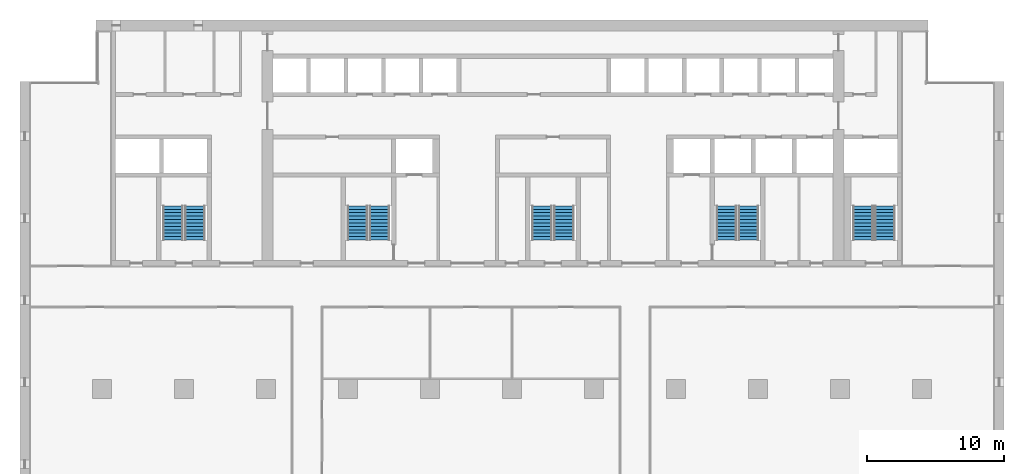
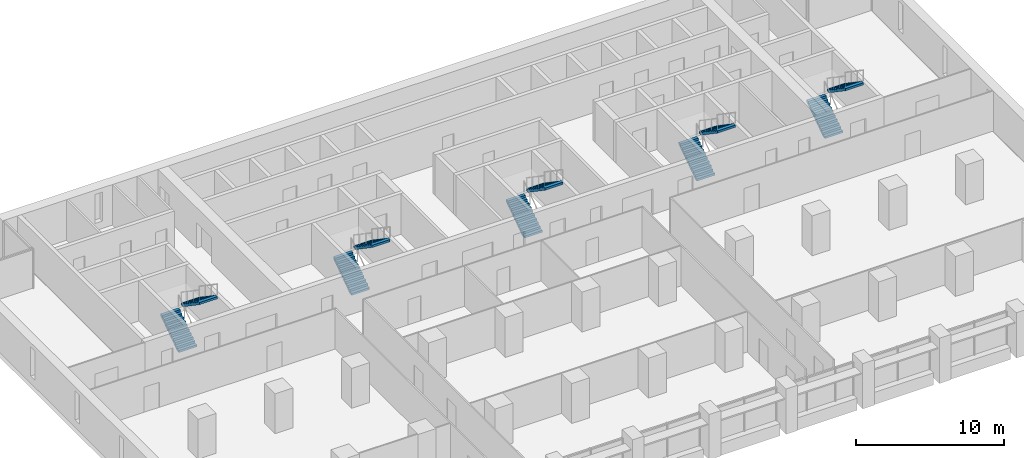
# One storey, part 12 of 15: 10 stair flights, 5 elements without a shape of their own.
"""IFC4 building model written with IfcOpenShell, lengths in metres."""

from ifc_helpers import new_model, si_unit, direction, frame, origin, place, context, subcontext, project, spatial, polyline, outline, extrude, material, type_object, element, aggregate, save


model = new_model("IFC4")

# Units and contexts
model_context = context("Model", 3, precision=1e-05, world=origin(), true_north=direction((0.0, 1.0)))
body_context = subcontext(model_context, "Body", "Model", "MODEL_VIEW")
ifc_project = project(units=[si_unit("LENGTHUNIT", "METRE"), si_unit("AREAUNIT", "SQUARE_METRE"), si_unit("VOLUMEUNIT", "CUBIC_METRE"), si_unit("PLANEANGLEUNIT", "RADIAN"), si_unit("MASSUNIT", "GRAM", prefix="KILO")], contexts=[model_context])

# Site, building, storey
site_placement = place(None, origin())
site = spatial("IfcSite", under=ifc_project, at=site_placement, CompositionType="ELEMENT")
building_placement = place(site_placement, origin())
building = spatial("IfcBuilding", under=site, at=building_placement, Name="Calvaro Tower", CompositionType="ELEMENT")
storey_placement = place(building_placement, frame((0.0, 0.0, 106.25)))
storey = spatial("IfcBuildingStorey", under=building, at=storey_placement, Name="L26", CompositionType="ELEMENT", Elevation=106.25)

# Stair, stair flights
ifc_material_1 = material(Name="Concrete C40/50", Category="concrete")
stair_type = type_object("IfcStairType", Name="Exit stair 1400 2 flights", PredefinedType="HALF_TURN_STAIR", material=ifc_material_1)
stair_1_placement = place(storey_placement, origin())
stair_1 = element("IfcStair", 1, at=stair_1_placement, inside=storey, type_object=stair_type, Name="Exit stair S1", PredefinedType="HALF_TURN_STAIR")
ifc_material_2 = material(Name="Concrete C40/50", Category="concrete")
stair_flight_type = type_object("IfcStairFlightType", Name="Stair flight", PredefinedType="STRAIGHT", material=ifc_material_2)
stair_flight_1_placement = place(storey_placement, frame((11.199951171875, 29.89990234375, 0.0), z_axis=(0.0, 0.0, 1.0), x_axis=(0.0, 1.0, 0.0)))
stair_flight_1 = element("IfcStairFlight", 2, at=stair_flight_1_placement, type_object=stair_flight_type, Name="Exit stair 1, flight 1", NumberOfRisers=11, NumberOfTreads=10, PredefinedType="STRAIGHT", RiserHeight=0.170454545, TreadLength=0.25, context=body_context, shape_type="SweptSolid", body=[
    extrude(outline(polyline([(0.0, 0.0), (0.0, 0.17041015625), (0.25, 0.17041015625), (0.25, 0.3408203125), (0.5, 0.3408203125), (0.5, 0.511474609375), (0.75, 0.511474609375), (0.75, 0.681884765625), (1.0, 0.681884765625), (1.0, 0.852294921875), (1.25, 0.852294921875), (1.25, 1.022705078125), (1.5, 1.022705078125), (1.5, 1.193115234375), (1.75, 1.193115234375), (1.75, 1.363525390625), (2.0, 1.363525390625), (2.0, 1.5341796875), (2.25, 1.5341796875), (2.25, 1.70458984375), (2.5, 1.70458984375), (2.5, 1.875), (2.5, 1.523193359375), (0.26611328125, 0.0), (0.0, 0.0)])), frame((0.0, 0.699951171875, 0.0), z_axis=(0.0, -1.0, 0.0), x_axis=(1.0, 0.0, 0.0)), (0.0, 0.0, 1.0), 1.39990234375),
])
stair_flight_2_placement = place(storey_placement, frame((12.800048828125, 32.39990234375, 1.875), z_axis=(0.0, 0.0, 1.0), x_axis=(0.0, -1.0, 0.0)))
stair_flight_2 = element("IfcStairFlight", 3, at=stair_flight_2_placement, type_object=stair_flight_type, Name="Exit stair 1, flight 2", NumberOfRisers=11, NumberOfTreads=10, PredefinedType="STRAIGHT", RiserHeight=0.170454545, TreadLength=0.25, context=body_context, shape_type="SweptSolid", body=[
    extrude(outline(polyline([(0.0, 0.0), (0.0, 0.17041015625), (0.25, 0.17041015625), (0.25, 0.3408203125), (0.5, 0.3408203125), (0.5, 0.511474609375), (0.75, 0.511474609375), (0.75, 0.681884765625), (1.0, 0.681884765625), (1.0, 0.852294921875), (1.25, 0.852294921875), (1.25, 1.022705078125), (1.5, 1.022705078125), (1.5, 1.193115234375), (1.75, 1.193115234375), (1.75, 1.363525390625), (2.0, 1.363525390625), (2.0, 1.5341796875), (2.25, 1.5341796875), (2.25, 1.70458984375), (2.5, 1.70458984375), (2.5, 1.875), (2.5, 1.523193359375), (0.26611328125, 0.0), (0.0, 0.0)])), frame((0.0, 0.699951171875, 0.0), z_axis=(0.0, -1.0, 0.0), x_axis=(1.0, 0.0, 0.0)), (0.0, 0.0, 1.0), 1.39990234375),
])
aggregate(stair_1, [stair_flight_1, stair_flight_2])

stair_2_placement = place(storey_placement, origin())
stair_2 = element("IfcStair", 4, at=stair_2_placement, inside=storey, type_object=stair_type, Name="Exit stair S2", PredefinedType="HALF_TURN_STAIR")
stair_flight_3_placement = place(storey_placement, frame((24.699951171875, 29.89990234375, 0.0), z_axis=(0.0, 0.0, 1.0), x_axis=(0.0, 1.0, 0.0)))
stair_flight_3 = element("IfcStairFlight", 5, at=stair_flight_3_placement, type_object=stair_flight_type, Name="Exit stair 2, flight 1", NumberOfRisers=11, NumberOfTreads=10, PredefinedType="STRAIGHT", RiserHeight=0.170454545, TreadLength=0.25, context=body_context, shape_type="SweptSolid", body=[
    extrude(outline(polyline([(0.0, 0.0), (0.0, 0.17041015625), (0.25, 0.17041015625), (0.25, 0.3408203125), (0.5, 0.3408203125), (0.5, 0.511474609375), (0.75, 0.511474609375), (0.75, 0.681884765625), (1.0, 0.681884765625), (1.0, 0.852294921875), (1.25, 0.852294921875), (1.25, 1.022705078125), (1.5, 1.022705078125), (1.5, 1.193115234375), (1.75, 1.193115234375), (1.75, 1.363525390625), (2.0, 1.363525390625), (2.0, 1.5341796875), (2.25, 1.5341796875), (2.25, 1.70458984375), (2.5, 1.70458984375), (2.5, 1.875), (2.5, 1.523193359375), (0.26611328125, 0.0), (0.0, 0.0)])), frame((0.0, 0.699951171875, 0.0), z_axis=(0.0, -1.0, 0.0), x_axis=(1.0, 0.0, 0.0)), (0.0, 0.0, 1.0), 1.39990234375),
])
stair_flight_4_placement = place(storey_placement, frame((26.300048828125, 32.39990234375, 1.875), z_axis=(0.0, 0.0, 1.0), x_axis=(0.0, -1.0, 0.0)))
stair_flight_4 = element("IfcStairFlight", 6, at=stair_flight_4_placement, type_object=stair_flight_type, Name="Exit stair 2, flight 2", NumberOfRisers=11, NumberOfTreads=10, PredefinedType="STRAIGHT", RiserHeight=0.170454545, TreadLength=0.25, context=body_context, shape_type="SweptSolid", body=[
    extrude(outline(polyline([(0.0, 0.0), (0.0, 0.17041015625), (0.25, 0.17041015625), (0.25, 0.3408203125), (0.5, 0.3408203125), (0.5, 0.511474609375), (0.75, 0.511474609375), (0.75, 0.681884765625), (1.0, 0.681884765625), (1.0, 0.852294921875), (1.25, 0.852294921875), (1.25, 1.022705078125), (1.5, 1.022705078125), (1.5, 1.193115234375), (1.75, 1.193115234375), (1.75, 1.363525390625), (2.0, 1.363525390625), (2.0, 1.5341796875), (2.25, 1.5341796875), (2.25, 1.70458984375), (2.5, 1.70458984375), (2.5, 1.875), (2.5, 1.523193359375), (0.26611328125, 0.0), (0.0, 0.0)])), frame((0.0, 0.699951171875, 0.0), z_axis=(0.0, -1.0, 0.0), x_axis=(1.0, 0.0, 0.0)), (0.0, 0.0, 1.0), 1.39990234375),
])
aggregate(stair_2, [stair_flight_3, stair_flight_4])

stair_3_placement = place(storey_placement, origin())
stair_3 = element("IfcStair", 7, at=stair_3_placement, inside=storey, type_object=stair_type, Name="Exit stair S3", PredefinedType="HALF_TURN_STAIR")
stair_flight_5_placement = place(storey_placement, frame((38.199951171875, 29.89990234375, 0.0), z_axis=(0.0, 0.0, 1.0), x_axis=(0.0, 1.0, 0.0)))
stair_flight_5 = element("IfcStairFlight", 8, at=stair_flight_5_placement, type_object=stair_flight_type, Name="Exit stair 3, flight 1", NumberOfRisers=11, NumberOfTreads=10, PredefinedType="STRAIGHT", RiserHeight=0.170454545, TreadLength=0.25, context=body_context, shape_type="SweptSolid", body=[
    extrude(outline(polyline([(0.0, 0.0), (0.0, 0.17041015625), (0.25, 0.17041015625), (0.25, 0.3408203125), (0.5, 0.3408203125), (0.5, 0.511474609375), (0.75, 0.511474609375), (0.75, 0.681884765625), (1.0, 0.681884765625), (1.0, 0.852294921875), (1.25, 0.852294921875), (1.25, 1.022705078125), (1.5, 1.022705078125), (1.5, 1.193115234375), (1.75, 1.193115234375), (1.75, 1.363525390625), (2.0, 1.363525390625), (2.0, 1.5341796875), (2.25, 1.5341796875), (2.25, 1.70458984375), (2.5, 1.70458984375), (2.5, 1.875), (2.5, 1.523193359375), (0.26611328125, 0.0), (0.0, 0.0)])), frame((0.0, 0.699951171875, 0.0), z_axis=(0.0, -1.0, 0.0), x_axis=(1.0, 0.0, 0.0)), (0.0, 0.0, 1.0), 1.39990234375),
])
stair_flight_6_placement = place(storey_placement, frame((39.800048828125, 32.39990234375, 1.875), z_axis=(0.0, 0.0, 1.0), x_axis=(0.0, -1.0, 0.0)))
stair_flight_6 = element("IfcStairFlight", 9, at=stair_flight_6_placement, type_object=stair_flight_type, Name="Exit stair 3, flight 2", NumberOfRisers=11, NumberOfTreads=10, PredefinedType="STRAIGHT", RiserHeight=0.170454545, TreadLength=0.25, context=body_context, shape_type="SweptSolid", body=[
    extrude(outline(polyline([(0.0, 0.0), (0.0, 0.17041015625), (0.25, 0.17041015625), (0.25, 0.3408203125), (0.5, 0.3408203125), (0.5, 0.511474609375), (0.75, 0.511474609375), (0.75, 0.681884765625), (1.0, 0.681884765625), (1.0, 0.852294921875), (1.25, 0.852294921875), (1.25, 1.022705078125), (1.5, 1.022705078125), (1.5, 1.193115234375), (1.75, 1.193115234375), (1.75, 1.363525390625), (2.0, 1.363525390625), (2.0, 1.5341796875), (2.25, 1.5341796875), (2.25, 1.70458984375), (2.5, 1.70458984375), (2.5, 1.875), (2.5, 1.523193359375), (0.26611328125, 0.0), (0.0, 0.0)])), frame((0.0, 0.699951171875, 0.0), z_axis=(0.0, -1.0, 0.0), x_axis=(1.0, 0.0, 0.0)), (0.0, 0.0, 1.0), 1.39990234375),
])
aggregate(stair_3, [stair_flight_5, stair_flight_6])

stair_4_placement = place(storey_placement, origin())
stair_4 = element("IfcStair", 10, at=stair_4_placement, inside=storey, type_object=stair_type, Name="Exit stair S4", PredefinedType="HALF_TURN_STAIR")
stair_flight_7_placement = place(storey_placement, frame((51.699951171875, 29.89990234375, 0.0), z_axis=(0.0, 0.0, 1.0), x_axis=(0.0, 1.0, 0.0)))
stair_flight_7 = element("IfcStairFlight", 11, at=stair_flight_7_placement, type_object=stair_flight_type, Name="Exit stair 4, flight 1", NumberOfRisers=11, NumberOfTreads=10, PredefinedType="STRAIGHT", RiserHeight=0.170454545, TreadLength=0.25, context=body_context, shape_type="SweptSolid", body=[
    extrude(outline(polyline([(0.0, 0.0), (0.0, 0.17041015625), (0.25, 0.17041015625), (0.25, 0.3408203125), (0.5, 0.3408203125), (0.5, 0.511474609375), (0.75, 0.511474609375), (0.75, 0.681884765625), (1.0, 0.681884765625), (1.0, 0.852294921875), (1.25, 0.852294921875), (1.25, 1.022705078125), (1.5, 1.022705078125), (1.5, 1.193115234375), (1.75, 1.193115234375), (1.75, 1.363525390625), (2.0, 1.363525390625), (2.0, 1.5341796875), (2.25, 1.5341796875), (2.25, 1.70458984375), (2.5, 1.70458984375), (2.5, 1.875), (2.5, 1.523193359375), (0.26611328125, 0.0), (0.0, 0.0)])), frame((0.0, 0.699951171875, 0.0), z_axis=(0.0, -1.0, 0.0), x_axis=(1.0, 0.0, 0.0)), (0.0, 0.0, 1.0), 1.39990234375),
])
stair_flight_8_placement = place(storey_placement, frame((53.300048828125, 32.39990234375, 1.875), z_axis=(0.0, 0.0, 1.0), x_axis=(0.0, -1.0, 0.0)))
stair_flight_8 = element("IfcStairFlight", 12, at=stair_flight_8_placement, type_object=stair_flight_type, Name="Exit stair 4, flight 2", NumberOfRisers=11, NumberOfTreads=10, PredefinedType="STRAIGHT", RiserHeight=0.170454545, TreadLength=0.25, context=body_context, shape_type="SweptSolid", body=[
    extrude(outline(polyline([(0.0, 0.0), (0.0, 0.17041015625), (0.25, 0.17041015625), (0.25, 0.3408203125), (0.5, 0.3408203125), (0.5, 0.511474609375), (0.75, 0.511474609375), (0.75, 0.681884765625), (1.0, 0.681884765625), (1.0, 0.852294921875), (1.25, 0.852294921875), (1.25, 1.022705078125), (1.5, 1.022705078125), (1.5, 1.193115234375), (1.75, 1.193115234375), (1.75, 1.363525390625), (2.0, 1.363525390625), (2.0, 1.5341796875), (2.25, 1.5341796875), (2.25, 1.70458984375), (2.5, 1.70458984375), (2.5, 1.875), (2.5, 1.523193359375), (0.26611328125, 0.0), (0.0, 0.0)])), frame((0.0, 0.699951171875, 0.0), z_axis=(0.0, -1.0, 0.0), x_axis=(1.0, 0.0, 0.0)), (0.0, 0.0, 1.0), 1.39990234375),
])
aggregate(stair_4, [stair_flight_7, stair_flight_8])

stair_5_placement = place(storey_placement, origin())
stair_5 = element("IfcStair", 13, at=stair_5_placement, inside=storey, type_object=stair_type, Name="Exit stair S5", PredefinedType="HALF_TURN_STAIR")
stair_flight_9_placement = place(storey_placement, frame((61.699951171875, 29.89990234375, 0.0), z_axis=(0.0, 0.0, 1.0), x_axis=(0.0, 1.0, 0.0)))
stair_flight_9 = element("IfcStairFlight", 14, at=stair_flight_9_placement, type_object=stair_flight_type, Name="Exit stair 5, flight 1", NumberOfRisers=11, NumberOfTreads=10, PredefinedType="STRAIGHT", RiserHeight=0.170454545, TreadLength=0.25, context=body_context, shape_type="SweptSolid", body=[
    extrude(outline(polyline([(0.0, 0.0), (0.0, 0.17041015625), (0.25, 0.17041015625), (0.25, 0.3408203125), (0.5, 0.3408203125), (0.5, 0.511474609375), (0.75, 0.511474609375), (0.75, 0.681884765625), (1.0, 0.681884765625), (1.0, 0.852294921875), (1.25, 0.852294921875), (1.25, 1.022705078125), (1.5, 1.022705078125), (1.5, 1.193115234375), (1.75, 1.193115234375), (1.75, 1.363525390625), (2.0, 1.363525390625), (2.0, 1.5341796875), (2.25, 1.5341796875), (2.25, 1.70458984375), (2.5, 1.70458984375), (2.5, 1.875), (2.5, 1.523193359375), (0.26611328125, 0.0), (0.0, 0.0)])), frame((0.0, 0.699951171875, 0.0), z_axis=(0.0, -1.0, 0.0), x_axis=(1.0, 0.0, 0.0)), (0.0, 0.0, 1.0), 1.39990234375),
])
stair_flight_10_placement = place(storey_placement, frame((63.300048828125, 32.39990234375, 1.875), z_axis=(0.0, 0.0, 1.0), x_axis=(0.0, -1.0, 0.0)))
stair_flight_10 = element("IfcStairFlight", 15, at=stair_flight_10_placement, type_object=stair_flight_type, Name="Exit stair 5, flight 2", NumberOfRisers=11, NumberOfTreads=10, PredefinedType="STRAIGHT", RiserHeight=0.170454545, TreadLength=0.25, context=body_context, shape_type="SweptSolid", body=[
    extrude(outline(polyline([(0.0, 0.0), (0.0, 0.17041015625), (0.25, 0.17041015625), (0.25, 0.3408203125), (0.5, 0.3408203125), (0.5, 0.511474609375), (0.75, 0.511474609375), (0.75, 0.681884765625), (1.0, 0.681884765625), (1.0, 0.852294921875), (1.25, 0.852294921875), (1.25, 1.022705078125), (1.5, 1.022705078125), (1.5, 1.193115234375), (1.75, 1.193115234375), (1.75, 1.363525390625), (2.0, 1.363525390625), (2.0, 1.5341796875), (2.25, 1.5341796875), (2.25, 1.70458984375), (2.5, 1.70458984375), (2.5, 1.875), (2.5, 1.523193359375), (0.26611328125, 0.0), (0.0, 0.0)])), frame((0.0, 0.699951171875, 0.0), z_axis=(0.0, -1.0, 0.0), x_axis=(1.0, 0.0, 0.0)), (0.0, 0.0, 1.0), 1.39990234375),
])
aggregate(stair_5, [stair_flight_9, stair_flight_10])

save(model, "model.ifc")
